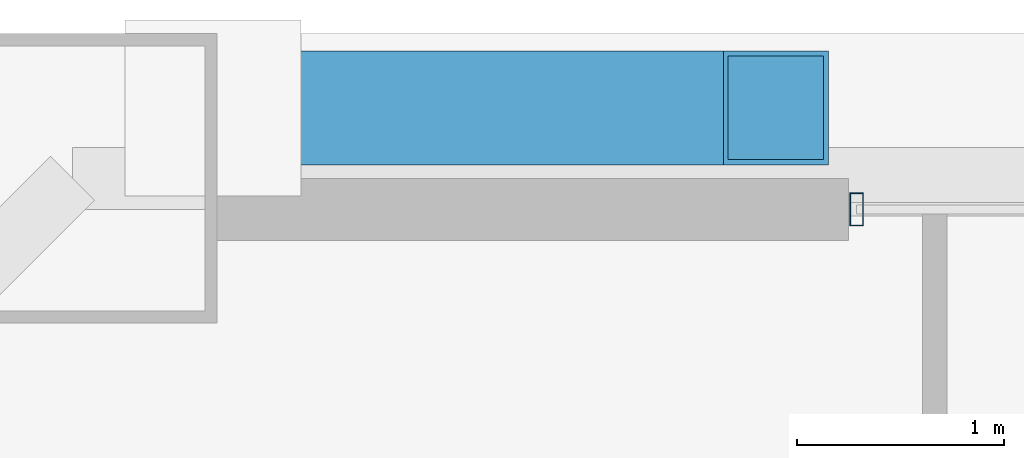
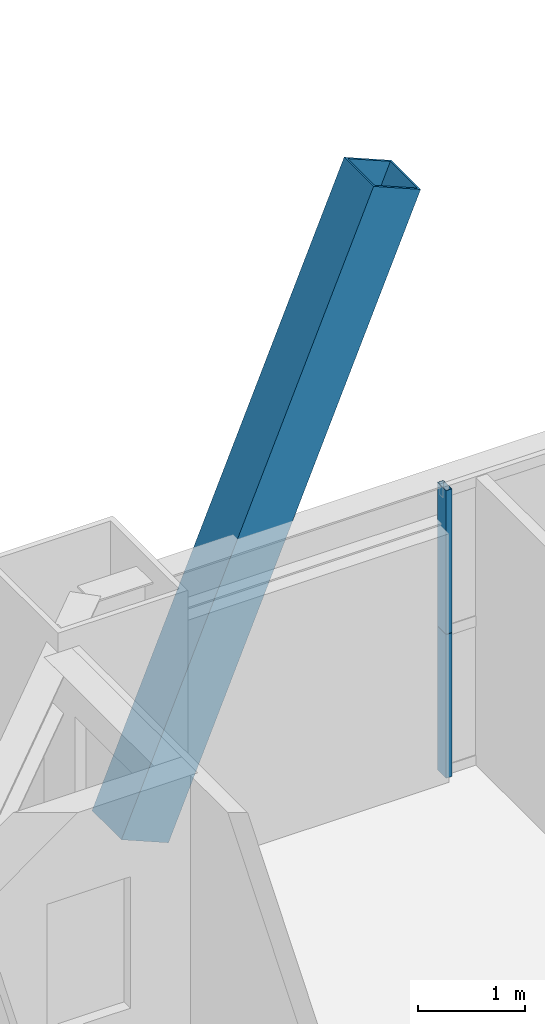
# One storey, part 32 of 45: 3 members, 1 element without a shape of its own.
"""IFC4 building model written with IfcOpenShell, lengths in metres."""

from ifc_helpers import new_model, si_unit, direction, frame, origin, origin_2d, place, context, subcontext, project, spatial, hollow_rectangle, extrude, source, transform, mapped, material, layer, layer_set, material_profile, profile_set, type_object, element, aggregate, save


model = new_model("IFC4")

# Units and contexts
model_context = context("Model", 3, precision=1e-05, world=origin(), true_north=direction((0.0, 1.0)))
body_context = subcontext(model_context, "Body", "Model", "MODEL_VIEW")
ifc_project = project(units=[si_unit("LENGTHUNIT", "METRE"), si_unit("AREAUNIT", "SQUARE_METRE"), si_unit("VOLUMEUNIT", "CUBIC_METRE"), si_unit("PLANEANGLEUNIT", "RADIAN"), si_unit("MASSUNIT", "GRAM", prefix="KILO"), si_unit("THERMODYNAMICTEMPERATUREUNIT", "KELVIN"), si_unit("POWERUNIT", "WATT")], contexts=[model_context])

# Site, building, storey
site_placement = place(None, origin())
site = spatial("IfcSite", under=ifc_project, at=site_placement, CompositionType="ELEMENT")
building_placement = place(site_placement, origin())
building = spatial("IfcBuilding", under=site, at=building_placement, Name="Yuzanri Waterfront Tower", CompositionType="ELEMENT")
storey_placement = place(building_placement, frame((0.0, 0.0, 198.5)))
storey = spatial("IfcBuildingStorey", under=building, at=storey_placement, Name="L52", CompositionType="ELEMENT", Elevation=198.5)

# Member
ifc_material_1 = material(Name="Steel Q390GJC", Category="steel")
ifc_material_profile_1 = material_profile(ifc_material_1, hollow_rectangle(XDim=0.550048828125, YDim=0.550048828125, WallThickness=0.02490234375, at=origin_2d()), Name="RHS 550x550x25")
ifc_profile_set_1 = profile_set([ifc_material_profile_1], Name="Steel Q390GJC")
member_type_1 = type_object("IfcMemberType", Name="Mega Brace Mid Q390GJC RHS 550x550x25", PredefinedType="BRACE", material=ifc_profile_set_1)
shared_shape_1 = source(origin(), body_context, "Body", "SweptSolid", [
    extrude(hollow_rectangle(XDim=0.550048828125, YDim=0.550048828125, WallThickness=0.02490234375, at=origin_2d()), origin(), (0.0, 0.0, 1.0), 7.046142578125),
])
member_1_placement = place(storey_placement, frame((19.179931640625, 48.239990234375, 0.179931640625), z_axis=(0.386022211732, 0.0, 0.922489486146), x_axis=(0.0, 1.0, 0.0)))
element("IfcMember", 1, at=member_1_placement, inside=storey, type_object=member_type_1, Name="L52-L53 Perimeter Mega-Brace N-L", PredefinedType="BRACE", context=body_context, shape_type="MappedRepresentation", body=[
    mapped(shared_shape_1, transform((0.0, 0.0, 0.0), scale=1.0)),
])

# Curtain wall, members
ifc_material_2 = material(Name="Anodized Architectural Bronze", Category="metal")
ifc_layer = layer(ifc_material_2, 0.159912109375)
ifc_layer_set = layer_set([ifc_layer], Name="Anodized Architectural Bronze")
curtain_wall_type = type_object("IfcCurtainWallType", Name="Anodized Bronze Mid-Rise Residential Acoustic Unitized Curtain Wall 7200", PredefinedType="NOTDEFINED", material=ifc_layer_set)
curtain_wall_placement = place(storey_placement, origin())
curtain_wall = element("IfcCurtainWall", 2, at=curtain_wall_placement, inside=storey, type_object=curtain_wall_type, Name="L52 Curtain Wall CW-L52-NL", PredefinedType="NOTDEFINED")
ifc_material_3 = material(Name="Anodized Architectural Bronze", Category="metal")
ifc_material_profile_2 = material_profile(ifc_material_3, hollow_rectangle(XDim=0.06494140625, YDim=0.159912109375, WallThickness=0.00341796875, at=origin_2d()), Name="CWM 65x160")
ifc_profile_set_2 = profile_set([ifc_material_profile_2], Name="Anodized Architectural Bronze")
member_type_2 = type_object("IfcMemberType", Name="Anodized Bronze Upper-Zone Curtain-Wall Mullion 65x160", PredefinedType="MULLION", material=ifc_profile_set_2)
shared_shape_2 = source(origin(), body_context, "Body", "SweptSolid", [
    extrude(hollow_rectangle(XDim=0.06494140625, YDim=0.159912109375, WallThickness=0.00341796875, at=origin_2d()), origin(), (0.0, 0.0, 1.0), 1.637939453125),
])
member_2_placement = place(storey_placement, frame((22.2900390625, 47.75, 0.0), z_axis=(0.0, 0.0, 1.0), x_axis=(1.0, 0.0, 0.0)))
member_2 = element("IfcMember", 3, at=member_2_placement, type_object=member_type_2, Name="CW-L52-NL Lower Mullion 00", PredefinedType="MULLION", context=body_context, shape_type="MappedRepresentation", body=[
    mapped(shared_shape_2, transform((0.0, 0.0, 0.0), scale=1.0)),
])
member_3_placement = place(storey_placement, frame((22.2900390625, 47.75, 1.64208984375), z_axis=(0.0, 0.0, 1.0), x_axis=(1.0, 0.0, 0.0)))
member_3 = element("IfcMember", 4, at=member_3_placement, type_object=member_type_2, Name="CW-L52-NL Upper Mullion 00", PredefinedType="MULLION", context=body_context, shape_type="MappedRepresentation", body=[
    mapped(shared_shape_2, transform((0.0, 0.0, 0.0), scale=1.0)),
])
aggregate(curtain_wall, [member_2, member_3])

save(model, "model.ifc")
